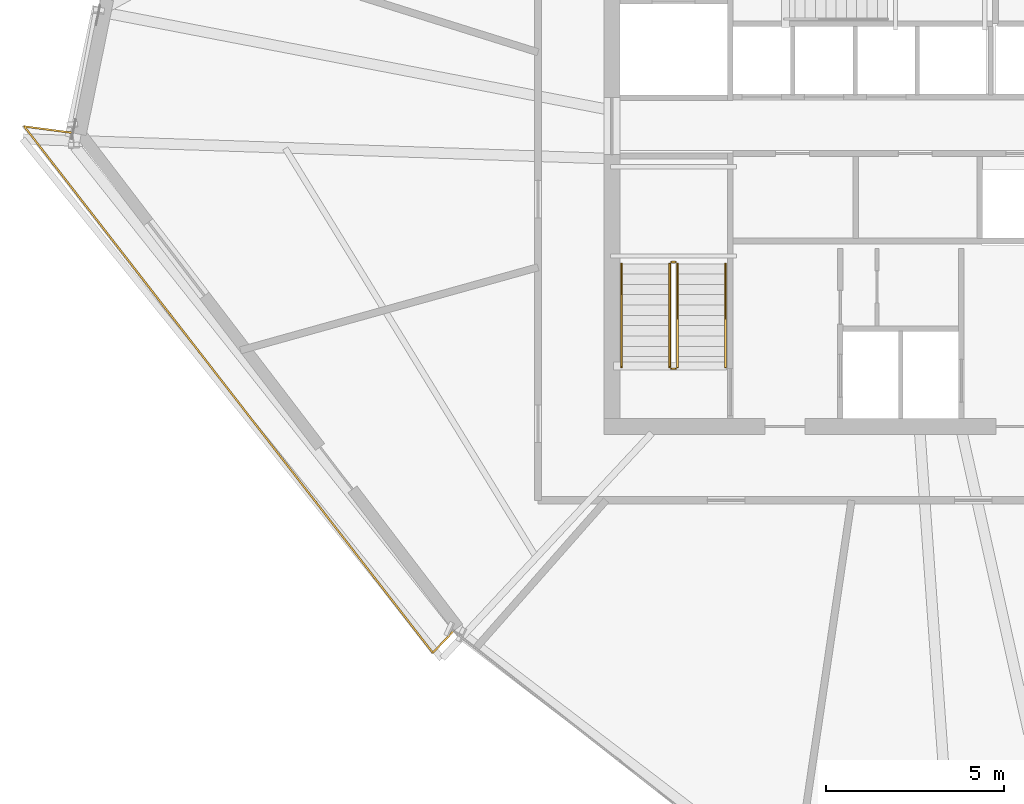
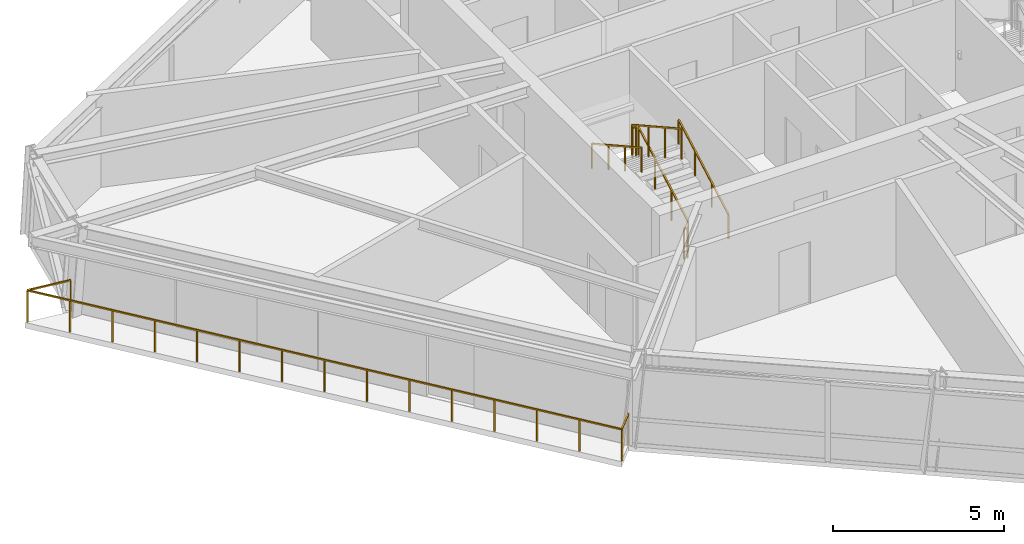
# One storey, part 12 of 14: 7 railings.
"""IFC4 building model written with IfcOpenShell, lengths in metres."""

from ifc_helpers import new_model, si_unit, direction, frame, origin, origin_2d, place, context, subcontext, project, spatial, rectangle, extrude, material, type_object, element, save


model = new_model("IFC4")

# Units and contexts
model_context = context("Model", 3, precision=1e-05, world=origin(), true_north=direction((0.0, 1.0)))
body_context = subcontext(model_context, "Body", "Model", "MODEL_VIEW")
ifc_project = project(units=[si_unit("LENGTHUNIT", "METRE"), si_unit("AREAUNIT", "SQUARE_METRE"), si_unit("VOLUMEUNIT", "CUBIC_METRE"), si_unit("PLANEANGLEUNIT", "RADIAN"), si_unit("MASSUNIT", "GRAM", prefix="KILO")], contexts=[model_context])

# Site, building, storey
site_placement = place(None, origin())
site = spatial("IfcSite", under=ifc_project, at=site_placement, CompositionType="ELEMENT")
building_placement = place(site_placement, origin())
building = spatial("IfcBuilding", under=site, at=building_placement, Name="Olszyna Solenne Hotel", CompositionType="ELEMENT")
storey_placement = place(building_placement, frame((0.0, 0.0, 223.800048828125)))
storey = spatial("IfcBuildingStorey", under=building, at=storey_placement, Name="L59", CompositionType="ELEMENT", Elevation=223.800048828125)

# Railings
ifc_material_1 = material(Name="Anodised bronze aluminium", Category="aluminium")
railing_type_1 = type_object("IfcRailingType", Name="GR-110", PredefinedType="BALUSTRADE", material=ifc_material_1)
railing_1_placement = place(storey_placement, frame((14.72021484375, 27.53076171875, 0.0)))
element("IfcRailing", 1, at=railing_1_placement, inside=storey, type_object=railing_type_1, Name="Loggia balcony balustrade guard GR-L59-LG2", PredefinedType="BALUSTRADE", context=body_context, shape_type="SweptSolid", body=[
    extrude(rectangle(XDim=0.048095703125, YDim=0.048095703125, at=origin_2d()), frame((0.0, 0.0, 1.1259765625), z_axis=(-0.991358829077, 0.13117801649, 0.0), x_axis=(-0.13117801649, -0.991358829077, 0.0)), (0.0, 0.0, 1.0), 1.379150390625),
    extrude(rectangle(XDim=0.048095703125, YDim=0.048095703125, at=origin_2d()), frame((-1.3671875, 0.180908203125, 1.1259765625), z_axis=(0.613178861546, -0.789944101664, 0.0), x_axis=(0.789944101664, 0.613178861546, 0.0)), (0.0, 0.0, 1.0), 18.734130859375),
    extrude(rectangle(XDim=0.048095703125, YDim=0.048095703125, at=origin_2d()), frame((10.1201171875, -14.617919921875, 1.1259765625), z_axis=(0.690613012899, 0.723224492405, 0.0), x_axis=(-0.723224492405, 0.690613012899, 0.0)), (0.0, 0.0, 1.0), 0.845947265625),
    extrude(rectangle(XDim=0.0419921875, YDim=0.0419921875, at=origin_2d()), origin(), (0.0, 0.0, 1.0), 1.101806640625),
    extrude(rectangle(XDim=0.0419921875, YDim=0.0419921875, at=origin_2d()), frame((-1.3671875, 0.180908203125, 0.0)), (0.0, 0.0, 1.0), 1.101806640625),
    extrude(rectangle(XDim=0.0419921875, YDim=0.0419921875, at=origin_2d()), frame((-0.546630859375, -0.876220703125, 0.0)), (0.0, 0.0, 1.0), 1.101806640625),
    extrude(rectangle(XDim=0.0419921875, YDim=0.0419921875, at=origin_2d()), frame((0.27392578125, -1.93310546875, 0.0)), (0.0, 0.0, 1.0), 1.101806640625),
    extrude(rectangle(XDim=0.0419921875, YDim=0.0419921875, at=origin_2d()), frame((1.094482421875, -2.990234375, 0.0)), (0.0, 0.0, 1.0), 1.101806640625),
    extrude(rectangle(XDim=0.0419921875, YDim=0.0419921875, at=origin_2d()), frame((1.914794921875, -4.04736328125, 0.0)), (0.0, 0.0, 1.0), 1.101806640625),
    extrude(rectangle(XDim=0.0419921875, YDim=0.0419921875, at=origin_2d()), frame((2.7353515625, -5.1044921875, 0.0)), (0.0, 0.0, 1.0), 1.101806640625),
    extrude(rectangle(XDim=0.0419921875, YDim=0.0419921875, at=origin_2d()), frame((3.555908203125, -6.161376953125, 0.0)), (0.0, 0.0, 1.0), 1.101806640625),
    extrude(rectangle(XDim=0.0419921875, YDim=0.0419921875, at=origin_2d()), frame((4.37646484375, -7.218505859375, 0.0)), (0.0, 0.0, 1.0), 1.101806640625),
    extrude(rectangle(XDim=0.0419921875, YDim=0.0419921875, at=origin_2d()), frame((5.197021484375, -8.275634765625, 0.0)), (0.0, 0.0, 1.0), 1.101806640625),
    extrude(rectangle(XDim=0.0419921875, YDim=0.0419921875, at=origin_2d()), frame((6.017578125, -9.33251953125, 0.0)), (0.0, 0.0, 1.0), 1.101806640625),
    extrude(rectangle(XDim=0.0419921875, YDim=0.0419921875, at=origin_2d()), frame((6.838134765625, -10.3896484375, 0.0)), (0.0, 0.0, 1.0), 1.101806640625),
    extrude(rectangle(XDim=0.0419921875, YDim=0.0419921875, at=origin_2d()), frame((7.658447265625, -11.44677734375, 0.0)), (0.0, 0.0, 1.0), 1.101806640625),
    extrude(rectangle(XDim=0.0419921875, YDim=0.0419921875, at=origin_2d()), frame((8.47900390625, -12.50390625, 0.0)), (0.0, 0.0, 1.0), 1.101806640625),
    extrude(rectangle(XDim=0.0419921875, YDim=0.0419921875, at=origin_2d()), frame((9.299560546875, -13.560791015625, 0.0)), (0.0, 0.0, 1.0), 1.101806640625),
    extrude(rectangle(XDim=0.0419921875, YDim=0.0419921875, at=origin_2d()), frame((10.1201171875, -14.617919921875, 0.0)), (0.0, 0.0, 1.0), 1.101806640625),
    extrude(rectangle(XDim=0.0419921875, YDim=0.0419921875, at=origin_2d()), frame((10.704345703125, -14.006103515625, 0.0)), (0.0, 0.0, 1.0), 1.101806640625),
])
railing_2_placement = place(storey_placement, frame((31.719970703125, 20.949951171875, 0.161376953125)))
element("IfcRailing", 2, at=railing_2_placement, inside=storey, type_object=railing_type_1, Name="L59 ST1 stair guard 1", PredefinedType="BALUSTRADE", context=body_context, shape_type="SweptSolid", body=[
    extrude(rectangle(XDim=0.048095703125, YDim=0.048095703125, at=origin_2d()), frame((0.0, 0.0, 1.076171875), z_axis=(0.0, 0.873858693841, 0.486179990537), x_axis=(-1.0, 0.0, 0.0)), (0.0, 0.0, 1.0), 3.31884765625),
    extrude(rectangle(XDim=0.0419921875, YDim=0.0419921875, at=origin_2d()), origin(), (0.0, 0.0, 1.0), 1.052001953125),
    extrude(rectangle(XDim=0.0419921875, YDim=0.0419921875, at=origin_2d()), frame((0.0, 0.966796875, 0.537841796875)), (0.0, 0.0, 1.0), 1.052001953125),
    extrude(rectangle(XDim=0.0419921875, YDim=0.0419921875, at=origin_2d()), frame((0.0, 1.933349609375, 1.07568359375)), (0.0, 0.0, 1.0), 1.052001953125),
    extrude(rectangle(XDim=0.0419921875, YDim=0.0419921875, at=origin_2d()), frame((0.0, 2.900146484375, 1.613525390625)), (0.0, 0.0, 1.0), 1.052001953125),
])
railing_3_placement = place(storey_placement, frame((31.669921875, 23.89990234375, 1.77490234375)))
element("IfcRailing", 3, at=railing_3_placement, inside=storey, type_object=railing_type_1, Name="L59 ST1 stair guard 2", PredefinedType="BALUSTRADE", context=body_context, shape_type="SweptSolid", body=[
    extrude(rectangle(XDim=0.048095703125, YDim=0.048095703125, at=origin_2d()), frame((0.0, 0.0, 1.076171875), z_axis=(-1.0, 0.0, 0.0), x_axis=(0.0, -1.0, 0.0)), (0.0, 0.0, 1.0), 0.119873046875),
    extrude(rectangle(XDim=0.0419921875, YDim=0.0419921875, at=origin_2d()), origin(), (0.0, 0.0, 1.0), 1.052001953125),
    extrude(rectangle(XDim=0.0419921875, YDim=0.0419921875, at=origin_2d()), frame((-0.119873046875, 0.0, 0.0)), (0.0, 0.0, 1.0), 1.052001953125),
])
railing_4_placement = place(storey_placement, frame((31.5, 23.85009765625, 1.936279296875)))
element("IfcRailing", 4, at=railing_4_placement, inside=storey, type_object=railing_type_1, Name="L59 ST1 stair guard 3", PredefinedType="BALUSTRADE", context=body_context, shape_type="SweptSolid", body=[
    extrude(rectangle(XDim=0.048095703125, YDim=0.048095703125, at=origin_2d()), frame((0.0, 0.0, 1.076171875), z_axis=(0.0, -0.873827439584, 0.48623616261), x_axis=(1.0, 0.0, 0.0)), (0.0, 0.0, 1.0), 3.31884765625),
    extrude(rectangle(XDim=0.0419921875, YDim=0.0419921875, at=origin_2d()), origin(), (0.0, 0.0, 1.0), 1.052001953125),
    extrude(rectangle(XDim=0.0419921875, YDim=0.0419921875, at=origin_2d()), frame((0.0, -0.966796875, 0.537841796875)), (0.0, 0.0, 1.0), 1.052001953125),
    extrude(rectangle(XDim=0.0419921875, YDim=0.0419921875, at=origin_2d()), frame((0.0, -1.933349609375, 1.075927734375)), (0.0, 0.0, 1.0), 1.052001953125),
    extrude(rectangle(XDim=0.0419921875, YDim=0.0419921875, at=origin_2d()), frame((0.0, -2.900146484375, 1.61376953125)), (0.0, 0.0, 1.0), 1.052001953125),
])
railing_5_placement = place(storey_placement, frame((31.669921875, 20.89990234375, 0.0)))
element("IfcRailing", 5, at=railing_5_placement, inside=storey, type_object=railing_type_1, Name="L59 ST1 stair guard 4", PredefinedType="BALUSTRADE", context=body_context, shape_type="SweptSolid", body=[
    extrude(rectangle(XDim=0.048095703125, YDim=0.048095703125, at=origin_2d()), frame((0.0, 0.0, 1.076171875), z_axis=(-1.0, 0.0, 0.0), x_axis=(0.0, -1.0, 0.0)), (0.0, 0.0, 1.0), 0.119873046875),
    extrude(rectangle(XDim=0.0419921875, YDim=0.0419921875, at=origin_2d()), origin(), (0.0, 0.0, 1.0), 1.052001953125),
    extrude(rectangle(XDim=0.0419921875, YDim=0.0419921875, at=origin_2d()), frame((-0.119873046875, 0.0, 0.0)), (0.0, 0.0, 1.0), 1.052001953125),
])
ifc_material_2 = material(Name="Steel S355J2", Category="steel")
railing_type_2 = type_object("IfcRailingType", Name="HR-090", PredefinedType="HANDRAIL", material=ifc_material_2)
railing_6_placement = place(storey_placement, frame((33.070068359375, 20.949951171875, 0.161376953125)))
element("IfcRailing", 6, at=railing_6_placement, inside=storey, type_object=railing_type_2, Name="L59 ST1 stair handrail 1", PredefinedType="HANDRAIL", context=body_context, shape_type="SweptSolid", body=[
    extrude(rectangle(XDim=0.048095703125, YDim=0.048095703125, at=origin_2d()), frame((0.0, 0.0, 0.8759765625), z_axis=(0.0, 0.873858693841, 0.486179990537), x_axis=(-1.0, 0.0, 0.0)), (0.0, 0.0, 1.0), 3.31884765625),
    extrude(rectangle(XDim=0.0419921875, YDim=0.0419921875, at=origin_2d()), origin(), (0.0, 0.0, 1.0), 0.851806640625),
    extrude(rectangle(XDim=0.0419921875, YDim=0.0419921875, at=origin_2d()), frame((0.0, 0.966796875, 0.537841796875)), (0.0, 0.0, 1.0), 0.851806640625),
    extrude(rectangle(XDim=0.0419921875, YDim=0.0419921875, at=origin_2d()), frame((0.0, 1.933349609375, 1.07568359375)), (0.0, 0.0, 1.0), 0.851806640625),
    extrude(rectangle(XDim=0.0419921875, YDim=0.0419921875, at=origin_2d()), frame((0.0, 2.900146484375, 1.613525390625)), (0.0, 0.0, 1.0), 0.851806640625),
])
railing_7_placement = place(storey_placement, frame((30.14990234375, 23.85009765625, 1.936279296875)))
element("IfcRailing", 7, at=railing_7_placement, inside=storey, type_object=railing_type_2, Name="L59 ST1 stair handrail 2", PredefinedType="HANDRAIL", context=body_context, shape_type="SweptSolid", body=[
    extrude(rectangle(XDim=0.048095703125, YDim=0.048095703125, at=origin_2d()), frame((0.0, 0.0, 0.8759765625), z_axis=(0.0, -0.873827439584, 0.48623616261), x_axis=(1.0, 0.0, 0.0)), (0.0, 0.0, 1.0), 3.31884765625),
    extrude(rectangle(XDim=0.0419921875, YDim=0.0419921875, at=origin_2d()), origin(), (0.0, 0.0, 1.0), 0.851806640625),
    extrude(rectangle(XDim=0.0419921875, YDim=0.0419921875, at=origin_2d()), frame((0.0, -0.966796875, 0.537841796875)), (0.0, 0.0, 1.0), 0.851806640625),
    extrude(rectangle(XDim=0.0419921875, YDim=0.0419921875, at=origin_2d()), frame((0.0, -1.933349609375, 1.075927734375)), (0.0, 0.0, 1.0), 0.851806640625),
    extrude(rectangle(XDim=0.0419921875, YDim=0.0419921875, at=origin_2d()), frame((0.0, -2.900146484375, 1.61376953125)), (0.0, 0.0, 1.0), 0.851806640625),
])

save(model, "model.ifc")
